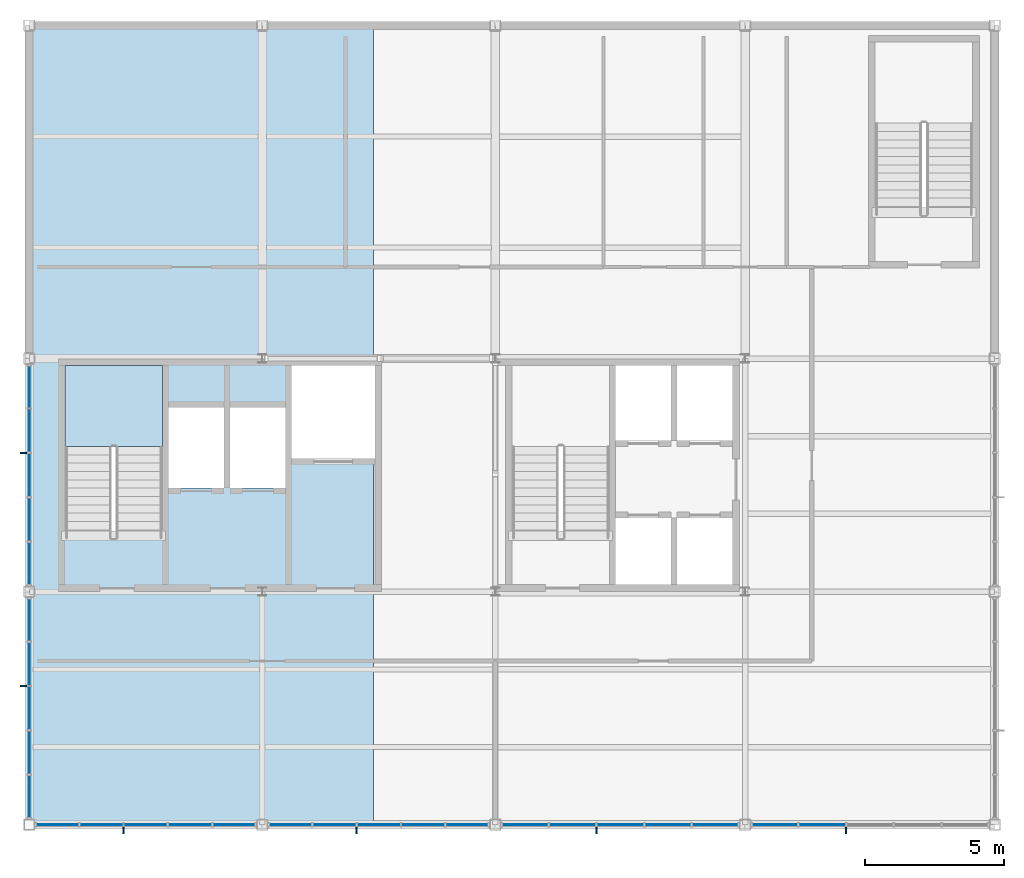
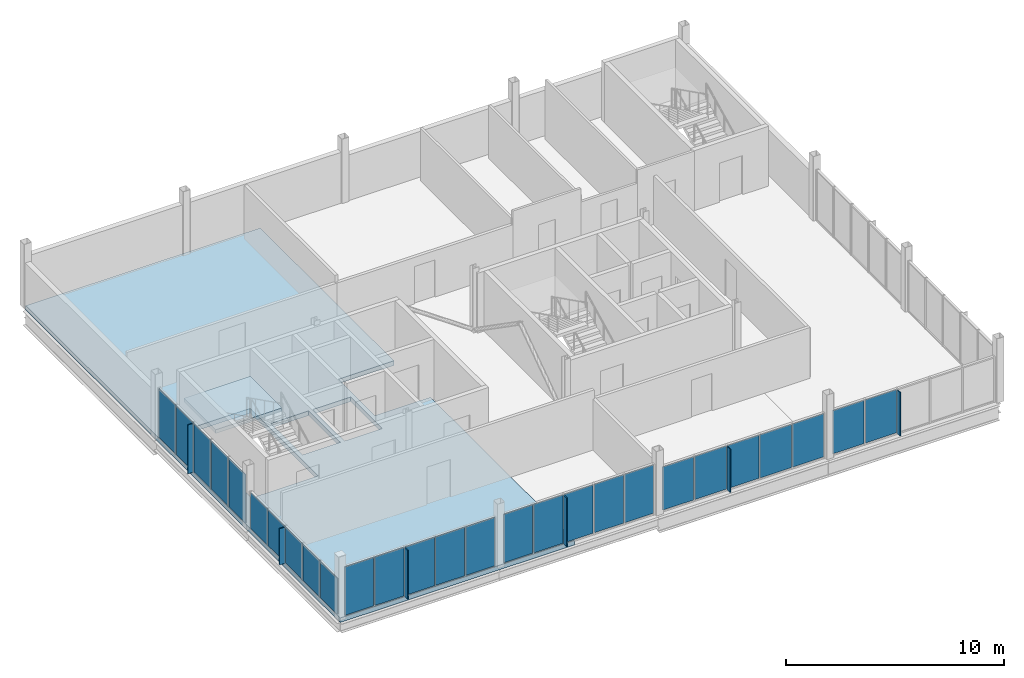
# One storey, part 9 of 15: 33 plates, 2 slabs, 7 elements without a shape of their own.
"""IFC4 building model written with IfcOpenShell, lengths in metres."""

from ifc_helpers import new_model, si_unit, direction, frame, origin, origin_2d, place, context, subcontext, project, spatial, polyline, rectangle, outline, extrude, material, layer, layer_set, type_object, element, aggregate, save


model = new_model("IFC4")

# Units and contexts
model_context = context("Model", 3, precision=1e-05, world=origin(), true_north=direction((0.0, 1.0)))
body_context = subcontext(model_context, "Body", "Model", "MODEL_VIEW")
ifc_project = project(units=[si_unit("LENGTHUNIT", "METRE"), si_unit("AREAUNIT", "SQUARE_METRE"), si_unit("VOLUMEUNIT", "CUBIC_METRE"), si_unit("PLANEANGLEUNIT", "RADIAN"), si_unit("MASSUNIT", "GRAM", prefix="KILO")], contexts=[model_context])

# Site, building, storey
site_placement = place(None, origin())
site = spatial("IfcSite", under=ifc_project, at=site_placement, CompositionType="ELEMENT")
building_placement = place(site_placement, origin())
building = spatial("IfcBuilding", under=site, at=building_placement, Name="Yukiwa Park Conservatory and Herbarium", CompositionType="ELEMENT")
storey_placement = place(building_placement, frame((0.0, 0.0, 54.0)))
storey = spatial("IfcBuildingStorey", under=building, at=storey_placement, Name="L14", CompositionType="ELEMENT", Elevation=54.0)

# Curtain wall, plates
ifc_material_1 = material(Name="Triple Low-E Insulated Glass", Category="glass")
ifc_layer_1 = layer(ifc_material_1, 0.27197265625)
ifc_layer_set_1 = layer_set([ifc_layer_1], Name="Triple Low-E Insulated Glass")
curtain_wall_type = type_object("IfcCurtainWallType", Name="CW-TOWER-LIB-1600", PredefinedType="NOTDEFINED", material=ifc_layer_set_1)
curtain_wall_1_placement = place(storey_placement, origin())
curtain_wall_1 = element("IfcCurtainWall", 1, at=curtain_wall_1_placement, inside=storey, type_object=curtain_wall_type, Name="L14 unitised curtain wall CW-L14-135", PredefinedType="NOTDEFINED")
ifc_material_2 = material(Name="Triple Low-E Insulated Glass", Category="glass")
ifc_layer_2 = layer(ifc_material_2, 0.035888671875)
ifc_layer_set_2 = layer_set([ifc_layer_2], Name="Triple Low-E Insulated Glass")
plate_type_1 = type_object("IfcPlateType", Name="PL-CW-GLZ-36", PredefinedType="CURTAIN_PANEL", material=ifc_layer_set_2)
plate_1_placement = place(storey_placement, frame((133.199951171875, 102.199951171875, 0.070068359375), z_axis=(0.0, 0.0, 1.0), x_axis=(0.0, -1.0, 0.0)))
plate_1 = element("IfcPlate", 2, at=plate_1_placement, type_object=plate_type_1, Name="CW-L14-135 vision panel 1.1", PredefinedType="CURTAIN_PANEL", context=body_context, shape_type="SweptSolid", body=[
    extrude(rectangle(XDim=1.530029296875, YDim=0.035888671875, at=origin_2d()), origin(), (0.0, 0.0, 1.0), 2.7041015625),
])
plate_2_placement = place(storey_placement, frame((133.199951171875, 100.60009765625, 0.070068359375), z_axis=(0.0, 0.0, 1.0), x_axis=(0.0, -1.0, 0.0)))
plate_2 = element("IfcPlate", 3, at=plate_2_placement, type_object=plate_type_1, Name="CW-L14-135 vision panel 2.1", PredefinedType="CURTAIN_PANEL", context=body_context, shape_type="SweptSolid", body=[
    extrude(rectangle(XDim=1.530029296875, YDim=0.035888671875, at=origin_2d()), origin(), (0.0, 0.0, 1.0), 2.7041015625),
])
plate_3_placement = place(storey_placement, frame((133.199951171875, 99.0, 0.070068359375), z_axis=(0.0, 0.0, 1.0), x_axis=(0.0, -1.0, 0.0)))
plate_3 = element("IfcPlate", 4, at=plate_3_placement, type_object=plate_type_1, Name="CW-L14-135 vision panel 3.1", PredefinedType="CURTAIN_PANEL", context=body_context, shape_type="SweptSolid", body=[
    extrude(rectangle(XDim=1.530029296875, YDim=0.035888671875, at=origin_2d()), origin(), (0.0, 0.0, 1.0), 2.7041015625),
])
plate_4_placement = place(storey_placement, frame((133.199951171875, 97.39990234375, 0.070068359375), z_axis=(0.0, 0.0, 1.0), x_axis=(0.0, -1.0, 0.0)))
plate_4 = element("IfcPlate", 5, at=plate_4_placement, type_object=plate_type_1, Name="CW-L14-135 vision panel 4.1", PredefinedType="CURTAIN_PANEL", context=body_context, shape_type="SweptSolid", body=[
    extrude(rectangle(XDim=1.530029296875, YDim=0.035888671875, at=origin_2d()), origin(), (0.0, 0.0, 1.0), 2.7041015625),
])
plate_5_placement = place(storey_placement, frame((133.199951171875, 95.800048828125, 0.070068359375), z_axis=(0.0, 0.0, 1.0), x_axis=(0.0, -1.0, 0.0)))
plate_5 = element("IfcPlate", 6, at=plate_5_placement, type_object=plate_type_1, Name="CW-L14-135 vision panel 5.1", PredefinedType="CURTAIN_PANEL", context=body_context, shape_type="SweptSolid", body=[
    extrude(rectangle(XDim=1.530029296875, YDim=0.035888671875, at=origin_2d()), origin(), (0.0, 0.0, 1.0), 2.7041015625),
])
aggregate(curtain_wall_1, [plate_1, plate_2, plate_3, plate_4, plate_5])

curtain_wall_2_placement = place(storey_placement, origin())
curtain_wall_2 = element("IfcCurtainWall", 7, at=curtain_wall_2_placement, inside=storey, type_object=curtain_wall_type, Name="L14 unitised curtain wall CW-L14-136", PredefinedType="NOTDEFINED")
plate_6_placement = place(storey_placement, frame((133.199951171875, 93.800048828125, 0.070068359375), z_axis=(0.0, 0.0, 1.0), x_axis=(0.0, -1.0, 0.0)))
plate_6 = element("IfcPlate", 8, at=plate_6_placement, type_object=plate_type_1, Name="CW-L14-136 vision panel 1.1", PredefinedType="CURTAIN_PANEL", context=body_context, shape_type="SweptSolid", body=[
    extrude(rectangle(XDim=1.530029296875, YDim=0.035888671875, at=origin_2d()), origin(), (0.0, 0.0, 1.0), 2.00390625),
])
plate_7_placement = place(storey_placement, frame((133.199951171875, 92.199951171875, 0.070068359375), z_axis=(0.0, 0.0, 1.0), x_axis=(0.0, -1.0, 0.0)))
plate_7 = element("IfcPlate", 9, at=plate_7_placement, type_object=plate_type_1, Name="CW-L14-136 vision panel 2.1", PredefinedType="CURTAIN_PANEL", context=body_context, shape_type="SweptSolid", body=[
    extrude(rectangle(XDim=1.530029296875, YDim=0.035888671875, at=origin_2d()), origin(), (0.0, 0.0, 1.0), 2.00390625),
])
plate_8_placement = place(storey_placement, frame((133.199951171875, 90.60009765625, 0.070068359375), z_axis=(0.0, 0.0, 1.0), x_axis=(0.0, -1.0, 0.0)))
plate_8 = element("IfcPlate", 10, at=plate_8_placement, type_object=plate_type_1, Name="CW-L14-136 vision panel 3.1", PredefinedType="CURTAIN_PANEL", context=body_context, shape_type="SweptSolid", body=[
    extrude(rectangle(XDim=1.530029296875, YDim=0.035888671875, at=origin_2d()), origin(), (0.0, 0.0, 1.0), 2.00390625),
])
plate_9_placement = place(storey_placement, frame((133.199951171875, 89.0, 0.070068359375), z_axis=(0.0, 0.0, 1.0), x_axis=(0.0, -1.0, 0.0)))
plate_9 = element("IfcPlate", 11, at=plate_9_placement, type_object=plate_type_1, Name="CW-L14-136 vision panel 4.1", PredefinedType="CURTAIN_PANEL", context=body_context, shape_type="SweptSolid", body=[
    extrude(rectangle(XDim=1.530029296875, YDim=0.035888671875, at=origin_2d()), origin(), (0.0, 0.0, 1.0), 2.00390625),
])
plate_10_placement = place(storey_placement, frame((133.199951171875, 87.39990234375, 0.070068359375), z_axis=(0.0, 0.0, 1.0), x_axis=(0.0, -1.0, 0.0)))
plate_10 = element("IfcPlate", 12, at=plate_10_placement, type_object=plate_type_1, Name="CW-L14-136 vision panel 5.1", PredefinedType="CURTAIN_PANEL", context=body_context, shape_type="SweptSolid", body=[
    extrude(rectangle(XDim=1.530029296875, YDim=0.035888671875, at=origin_2d()), origin(), (0.0, 0.0, 1.0), 2.00390625),
])
aggregate(curtain_wall_2, [plate_6, plate_7, plate_8, plate_9, plate_10])

curtain_wall_3_placement = place(storey_placement, origin())
curtain_wall_3 = element("IfcCurtainWall", 13, at=curtain_wall_3_placement, inside=storey, type_object=curtain_wall_type, Name="L14 unitised curtain wall CW-L14-137", PredefinedType="NOTDEFINED")
plate_11_placement = place(storey_placement, frame((134.199951171875, 86.39990234375, 0.070068359375), z_axis=(0.0, 0.0, 1.0), x_axis=(1.0, 0.0, 0.0)))
plate_11 = element("IfcPlate", 14, at=plate_11_placement, type_object=plate_type_1, Name="CW-L14-137 vision panel 1.1", PredefinedType="CURTAIN_PANEL", context=body_context, shape_type="SweptSolid", body=[
    extrude(rectangle(XDim=1.530029296875, YDim=0.035888671875, at=origin_2d()), origin(), (0.0, 0.0, 1.0), 2.7041015625),
])
plate_12_placement = place(storey_placement, frame((135.800048828125, 86.39990234375, 0.070068359375), z_axis=(0.0, 0.0, 1.0), x_axis=(1.0, 0.0, 0.0)))
plate_12 = element("IfcPlate", 15, at=plate_12_placement, type_object=plate_type_1, Name="CW-L14-137 vision panel 2.1", PredefinedType="CURTAIN_PANEL", context=body_context, shape_type="SweptSolid", body=[
    extrude(rectangle(XDim=1.530029296875, YDim=0.035888671875, at=origin_2d()), origin(), (0.0, 0.0, 1.0), 2.7041015625),
])
plate_13_placement = place(storey_placement, frame((137.39990234375, 86.39990234375, 0.070068359375), z_axis=(0.0, 0.0, 1.0), x_axis=(1.0, 0.0, 0.0)))
plate_13 = element("IfcPlate", 16, at=plate_13_placement, type_object=plate_type_1, Name="CW-L14-137 vision panel 3.1", PredefinedType="CURTAIN_PANEL", context=body_context, shape_type="SweptSolid", body=[
    extrude(rectangle(XDim=1.530029296875, YDim=0.035888671875, at=origin_2d()), origin(), (0.0, 0.0, 1.0), 2.7041015625),
])
plate_14_placement = place(storey_placement, frame((139.0, 86.39990234375, 0.070068359375), z_axis=(0.0, 0.0, 1.0), x_axis=(1.0, 0.0, 0.0)))
plate_14 = element("IfcPlate", 17, at=plate_14_placement, type_object=plate_type_1, Name="CW-L14-137 vision panel 4.1", PredefinedType="CURTAIN_PANEL", context=body_context, shape_type="SweptSolid", body=[
    extrude(rectangle(XDim=1.530029296875, YDim=0.035888671875, at=origin_2d()), origin(), (0.0, 0.0, 1.0), 2.7041015625),
])
plate_15_placement = place(storey_placement, frame((140.60009765625, 86.39990234375, 0.070068359375), z_axis=(0.0, 0.0, 1.0), x_axis=(1.0, 0.0, 0.0)))
plate_15 = element("IfcPlate", 18, at=plate_15_placement, type_object=plate_type_1, Name="CW-L14-137 vision panel 5.1", PredefinedType="CURTAIN_PANEL", context=body_context, shape_type="SweptSolid", body=[
    extrude(rectangle(XDim=1.530029296875, YDim=0.035888671875, at=origin_2d()), origin(), (0.0, 0.0, 1.0), 2.7041015625),
])
aggregate(curtain_wall_3, [plate_11, plate_12, plate_13, plate_14, plate_15])

curtain_wall_4_placement = place(storey_placement, origin())
curtain_wall_4 = element("IfcCurtainWall", 19, at=curtain_wall_4_placement, inside=storey, type_object=curtain_wall_type, Name="L14 unitised curtain wall CW-L14-138", PredefinedType="NOTDEFINED")
plate_16_placement = place(storey_placement, frame((142.60009765625, 86.39990234375, 0.070068359375), z_axis=(0.0, 0.0, 1.0), x_axis=(1.0, 0.0, 0.0)))
plate_16 = element("IfcPlate", 20, at=plate_16_placement, type_object=plate_type_1, Name="CW-L14-138 vision panel 1.1", PredefinedType="CURTAIN_PANEL", context=body_context, shape_type="SweptSolid", body=[
    extrude(rectangle(XDim=1.530029296875, YDim=0.035888671875, at=origin_2d()), origin(), (0.0, 0.0, 1.0), 2.7041015625),
])
plate_17_placement = place(storey_placement, frame((144.199951171875, 86.39990234375, 0.070068359375), z_axis=(0.0, 0.0, 1.0), x_axis=(1.0, 0.0, 0.0)))
plate_17 = element("IfcPlate", 21, at=plate_17_placement, type_object=plate_type_1, Name="CW-L14-138 vision panel 2.1", PredefinedType="CURTAIN_PANEL", context=body_context, shape_type="SweptSolid", body=[
    extrude(rectangle(XDim=1.530029296875, YDim=0.035888671875, at=origin_2d()), origin(), (0.0, 0.0, 1.0), 2.7041015625),
])
plate_18_placement = place(storey_placement, frame((145.800048828125, 86.39990234375, 0.070068359375), z_axis=(0.0, 0.0, 1.0), x_axis=(1.0, 0.0, 0.0)))
plate_18 = element("IfcPlate", 22, at=plate_18_placement, type_object=plate_type_1, Name="CW-L14-138 vision panel 3.1", PredefinedType="CURTAIN_PANEL", context=body_context, shape_type="SweptSolid", body=[
    extrude(rectangle(XDim=1.530029296875, YDim=0.035888671875, at=origin_2d()), origin(), (0.0, 0.0, 1.0), 2.7041015625),
])
plate_19_placement = place(storey_placement, frame((147.39990234375, 86.39990234375, 0.070068359375), z_axis=(0.0, 0.0, 1.0), x_axis=(1.0, 0.0, 0.0)))
plate_19 = element("IfcPlate", 23, at=plate_19_placement, type_object=plate_type_1, Name="CW-L14-138 vision panel 4.1", PredefinedType="CURTAIN_PANEL", context=body_context, shape_type="SweptSolid", body=[
    extrude(rectangle(XDim=1.530029296875, YDim=0.035888671875, at=origin_2d()), origin(), (0.0, 0.0, 1.0), 2.7041015625),
])
plate_20_placement = place(storey_placement, frame((149.0, 86.39990234375, 0.070068359375), z_axis=(0.0, 0.0, 1.0), x_axis=(1.0, 0.0, 0.0)))
plate_20 = element("IfcPlate", 24, at=plate_20_placement, type_object=plate_type_1, Name="CW-L14-138 vision panel 5.1", PredefinedType="CURTAIN_PANEL", context=body_context, shape_type="SweptSolid", body=[
    extrude(rectangle(XDim=1.530029296875, YDim=0.035888671875, at=origin_2d()), origin(), (0.0, 0.0, 1.0), 2.7041015625),
])
aggregate(curtain_wall_4, [plate_16, plate_17, plate_18, plate_19, plate_20])

curtain_wall_5_placement = place(storey_placement, origin())
curtain_wall_5 = element("IfcCurtainWall", 25, at=curtain_wall_5_placement, inside=storey, type_object=curtain_wall_type, Name="L14 unitised curtain wall CW-L14-139", PredefinedType="NOTDEFINED")
plate_21_placement = place(storey_placement, frame((151.06005859375, 86.39990234375, 0.06982421875), z_axis=(0.0, 0.0, 1.0), x_axis=(1.0, 0.0, 0.0)))
plate_21 = element("IfcPlate", 26, at=plate_21_placement, type_object=plate_type_1, Name="CW-L14-139 vision panel 1.1", PredefinedType="CURTAIN_PANEL", context=body_context, shape_type="SweptSolid", body=[
    extrude(rectangle(XDim=1.64990234375, YDim=0.035888671875, at=origin_2d()), origin(), (0.0, 0.0, 1.0), 2.412109375),
])
plate_22_placement = place(storey_placement, frame((152.780029296875, 86.39990234375, 0.06982421875), z_axis=(0.0, 0.0, 1.0), x_axis=(1.0, 0.0, 0.0)))
plate_22 = element("IfcPlate", 27, at=plate_22_placement, type_object=plate_type_1, Name="CW-L14-139 vision panel 2.1", PredefinedType="CURTAIN_PANEL", context=body_context, shape_type="SweptSolid", body=[
    extrude(rectangle(XDim=1.64990234375, YDim=0.035888671875, at=origin_2d()), origin(), (0.0, 0.0, 1.0), 2.412109375),
])
plate_23_placement = place(storey_placement, frame((154.5, 86.39990234375, 0.06982421875), z_axis=(0.0, 0.0, 1.0), x_axis=(1.0, 0.0, 0.0)))
plate_23 = element("IfcPlate", 28, at=plate_23_placement, type_object=plate_type_1, Name="CW-L14-139 vision panel 3.1", PredefinedType="CURTAIN_PANEL", context=body_context, shape_type="SweptSolid", body=[
    extrude(rectangle(XDim=1.64990234375, YDim=0.035888671875, at=origin_2d()), origin(), (0.0, 0.0, 1.0), 2.412109375),
])
plate_24_placement = place(storey_placement, frame((156.219970703125, 86.39990234375, 0.06982421875), z_axis=(0.0, 0.0, 1.0), x_axis=(1.0, 0.0, 0.0)))
plate_24 = element("IfcPlate", 29, at=plate_24_placement, type_object=plate_type_1, Name="CW-L14-139 vision panel 4.1", PredefinedType="CURTAIN_PANEL", context=body_context, shape_type="SweptSolid", body=[
    extrude(rectangle(XDim=1.64990234375, YDim=0.035888671875, at=origin_2d()), origin(), (0.0, 0.0, 1.0), 2.412109375),
])
plate_25_placement = place(storey_placement, frame((157.93994140625, 86.39990234375, 0.06982421875), z_axis=(0.0, 0.0, 1.0), x_axis=(1.0, 0.0, 0.0)))
plate_25 = element("IfcPlate", 30, at=plate_25_placement, type_object=plate_type_1, Name="CW-L14-139 vision panel 5.1", PredefinedType="CURTAIN_PANEL", context=body_context, shape_type="SweptSolid", body=[
    extrude(rectangle(XDim=1.64990234375, YDim=0.035888671875, at=origin_2d()), origin(), (0.0, 0.0, 1.0), 2.412109375),
])
aggregate(curtain_wall_5, [plate_21, plate_22, plate_23, plate_24, plate_25])

curtain_wall_6_placement = place(storey_placement, origin())
curtain_wall_6 = element("IfcCurtainWall", 31, at=curtain_wall_6_placement, inside=storey, type_object=curtain_wall_type, Name="L14 unitised curtain wall CW-L14-140", PredefinedType="NOTDEFINED")
plate_26_placement = place(storey_placement, frame((160.06005859375, 86.39990234375, 0.06982421875), z_axis=(0.0, 0.0, 1.0), x_axis=(1.0, 0.0, 0.0)))
plate_26 = element("IfcPlate", 32, at=plate_26_placement, type_object=plate_type_1, Name="CW-L14-140 vision panel 1.1", PredefinedType="CURTAIN_PANEL", context=body_context, shape_type="SweptSolid", body=[
    extrude(rectangle(XDim=1.64990234375, YDim=0.035888671875, at=origin_2d()), origin(), (0.0, 0.0, 1.0), 2.412109375),
])
plate_27_placement = place(storey_placement, frame((161.780029296875, 86.39990234375, 0.06982421875), z_axis=(0.0, 0.0, 1.0), x_axis=(1.0, 0.0, 0.0)))
plate_27 = element("IfcPlate", 33, at=plate_27_placement, type_object=plate_type_1, Name="CW-L14-140 vision panel 2.1", PredefinedType="CURTAIN_PANEL", context=body_context, shape_type="SweptSolid", body=[
    extrude(rectangle(XDim=1.64990234375, YDim=0.035888671875, at=origin_2d()), origin(), (0.0, 0.0, 1.0), 2.412109375),
])
aggregate(curtain_wall_6, [plate_26, plate_27])

# Plates
ifc_material_3 = material(Name="Anodised Aluminium", Category="aluminium")
ifc_layer_3 = layer(ifc_material_3, 0.050048828125)
ifc_layer_set_3 = layer_set([ifc_layer_3], Name="Anodised Aluminium")
plate_type_2 = type_object("IfcPlateType", Name="PL-FIN-ALU-50", PredefinedType="USERDEFINED", material=ifc_layer_set_3)
plate_28_placement = place(storey_placement, frame((133.010009765625, 99.800048828125, 0.06005859375), z_axis=(0.0, 0.0, 1.0), x_axis=(0.0, -1.0, 0.0)))
element("IfcPlate", 34, at=plate_28_placement, inside=storey, type_object=plate_type_2, Name="CW-L14-135 exterior vertical shading fin", ObjectType="SHADING FIN", PredefinedType="USERDEFINED", context=body_context, shape_type="SweptSolid", body=[
    extrude(rectangle(XDim=0.050048828125, YDim=0.280029296875, at=origin_2d()), origin(), (0.0, 0.0, 1.0), 2.72412109375),
])
plate_29_placement = place(storey_placement, frame((133.010009765625, 91.39990234375, 0.06005859375), z_axis=(0.0, 0.0, 1.0), x_axis=(0.0, -1.0, 0.0)))
element("IfcPlate", 35, at=plate_29_placement, inside=storey, type_object=plate_type_2, Name="CW-L14-136 exterior vertical shading fin", ObjectType="SHADING FIN", PredefinedType="USERDEFINED", context=body_context, shape_type="SweptSolid", body=[
    extrude(rectangle(XDim=0.050048828125, YDim=0.280029296875, at=origin_2d()), origin(), (0.0, 0.0, 1.0), 2.02392578125),
])
for number, where, z_axis, x_axis, name in (
    (36, (136.60009765625, 86.2099609375, 0.06005859375), (0.0, 0.0, 1.0), (1.0, 0.0, 0.0), "CW-L14-137 exterior vertical shading fin"),
    (37, (145.0, 86.2099609375, 0.06005859375), (0.0, 0.0, 1.0), (1.0, 0.0, 0.0), "CW-L14-138 exterior vertical shading fin"),
):
    element("IfcPlate", number, at=place(storey_placement, frame(where, z_axis=z_axis, x_axis=x_axis)), inside=storey, type_object=plate_type_2, Name=name, ObjectType="SHADING FIN", PredefinedType="USERDEFINED", context=body_context, shape_type="SweptSolid", body=[
        extrude(rectangle(XDim=0.050048828125, YDim=0.280029296875, at=origin_2d()), origin(), (0.0, 0.0, 1.0), 2.72412109375),
    ])
for number, where, z_axis, x_axis, name in (
    (38, (153.639892578125, 86.2099609375, 0.06005859375), (0.0, 0.0, 1.0), (1.0, 0.0, 0.0), "CW-L14-139 exterior vertical shading fin"),
    (39, (162.639892578125, 86.2099609375, 0.06005859375), (0.0, 0.0, 1.0), (1.0, 0.0, 0.0), "CW-L14-140 exterior vertical shading fin"),
):
    element("IfcPlate", number, at=place(storey_placement, frame(where, z_axis=z_axis, x_axis=x_axis)), inside=storey, type_object=plate_type_2, Name=name, ObjectType="SHADING FIN", PredefinedType="USERDEFINED", context=body_context, shape_type="SweptSolid", body=[
        extrude(rectangle(XDim=0.050048828125, YDim=0.280029296875, at=origin_2d()), origin(), (0.0, 0.0, 1.0), 2.431884765625),
    ])

# Slab
ifc_material_4 = material(Name="Concrete C40", Category="concrete")
ifc_layer_4 = layer(ifc_material_4, 0.25390625)
ifc_layer_set_4 = layer_set([ifc_layer_4], Name="Concrete C40")
slab_type_1 = type_object("IfcSlabType", Name="SL-FLR-254", PredefinedType="FLOOR", material=ifc_layer_set_4)
slab_1_placement = place(storey_placement, frame((0.0, 0.0, -0.25390625)))
element("IfcSlab", 40, at=slab_1_placement, inside=storey, type_object=slab_type_1, Name="L14 composite structural floor slab V5W", PredefinedType="FLOOR", context=body_context, shape_type="SweptSolid", body=[
    extrude(outline(polyline([(133.199951171875, 115.199951171875), (145.60009765625, 115.199951171875), (145.60009765625, 102.949951171875), (142.659912109375, 102.949951171875), (142.659912109375, 99.60009765625), (145.60009765625, 99.60009765625), (145.60009765625, 86.39990234375), (133.199951171875, 86.39990234375), (133.199951171875, 115.199951171875)]), holes=[polyline([(134.489990234375, 102.949951171875), (134.489990234375, 96.72998046875), (138.0, 96.72998046875), (138.0, 102.949951171875), (134.489990234375, 102.949951171875)]), polyline([(140.219970703125, 101.43994140625), (138.219970703125, 101.43994140625), (138.219970703125, 98.5400390625), (140.219970703125, 98.5400390625), (140.219970703125, 101.43994140625)]), polyline([(140.43994140625, 101.43994140625), (140.43994140625, 98.5400390625), (142.43994140625, 98.5400390625), (142.43994140625, 101.43994140625), (140.43994140625, 101.43994140625)])]), origin(), (0.0, 0.0, 1.0), 0.25390625),
])

# Stair, slab
ifc_material_5 = material(Name="Concrete C40", Category="concrete")
stair_type = type_object("IfcStairType", Name="ST-DOGLEG-ST-T1", PredefinedType="HALF_TURN_STAIR", material=ifc_material_5)
stair_placement = place(storey_placement, origin())
stair = element("IfcStair", 41, at=stair_placement, inside=storey, type_object=stair_type, Name="L14 Protected Smoke-Proof Stair ST-T1", PredefinedType="HALF_TURN_STAIR")
ifc_material_6 = material(Name="Concrete C40", Category="concrete")
ifc_layer_5 = layer(ifc_material_6, 0.199951171875)
ifc_layer_set_5 = layer_set([ifc_layer_5], Name="Concrete C40")
slab_type_2 = type_object("IfcSlabType", Name="SL-LANDING-220", PredefinedType="LANDING", material=ifc_layer_set_5)
slab_2_placement = place(storey_placement, frame((0.0, 0.0, 1.60009765625)))
slab_2 = element("IfcSlab", 42, at=slab_2_placement, type_object=slab_type_2, Name="ST-T1 landing 1", PredefinedType="LANDING", context=body_context, shape_type="SweptSolid", body=[
    extrude(outline(polyline([(138.0, 100.030029296875), (138.0, 102.949951171875), (134.489990234375, 102.949951171875), (134.489990234375, 100.030029296875), (138.0, 100.030029296875)])), origin(), (0.0, 0.0, 1.0), 0.199951171875),
])
aggregate(stair, [slab_2])

save(model, "model.ifc")
